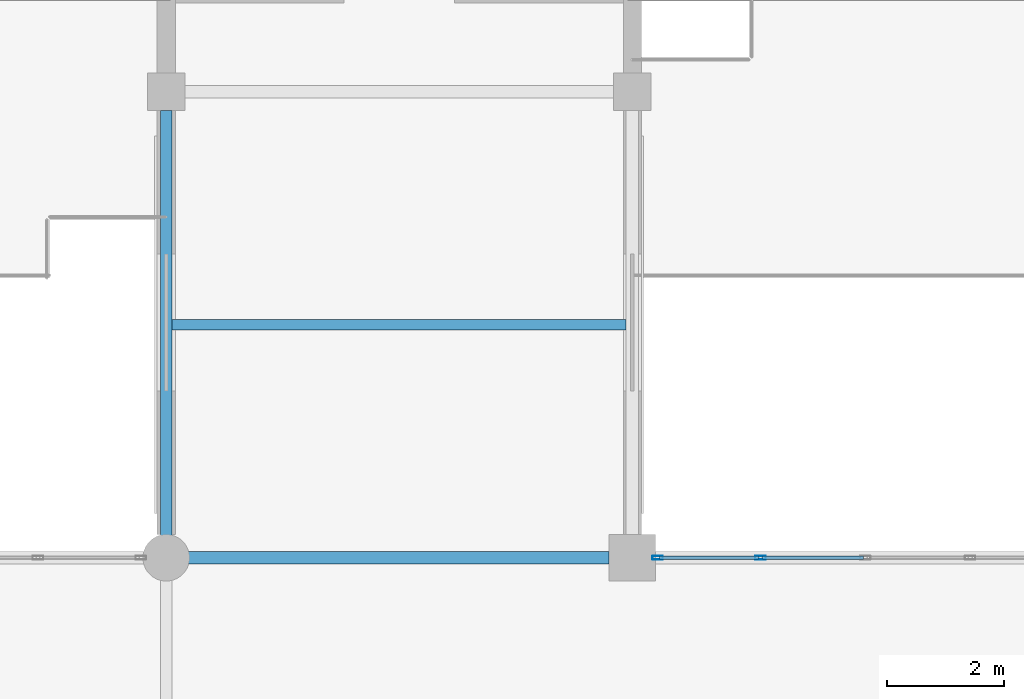
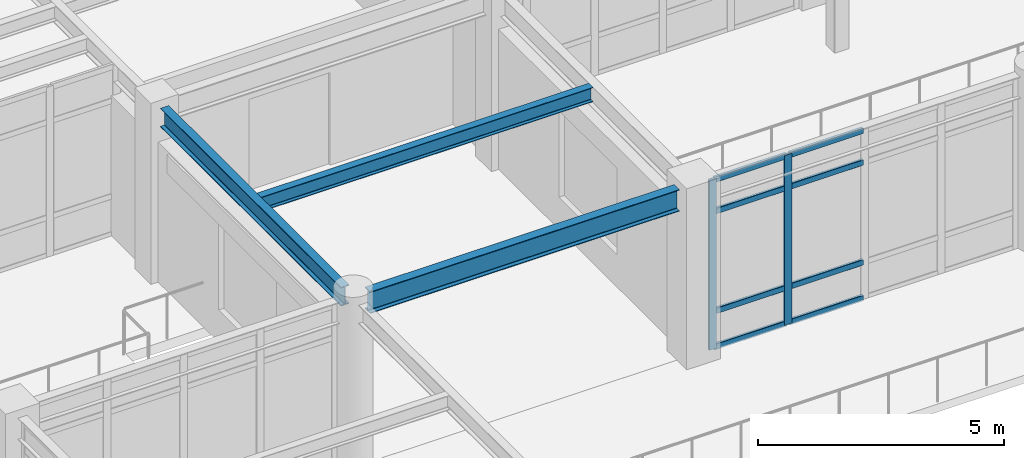
# One storey, part 43 of 111: 10 members, 3 beams, 1 element without a shape of its own.
"""IFC4 building model written with IfcOpenShell, lengths in metres."""

from ifc_helpers import new_model, si_unit, direction, frame, origin, origin_2d, place, context, subcontext, project, spatial, hollow_rectangle, i_section, extrude, material, material_profile, profile_set, type_object, element, aggregate, save


model = new_model("IFC4")

# Units and contexts
model_context = context("Model", 3, precision=1e-05, world=origin(), true_north=direction((0.0, 1.0)))
body_context = subcontext(model_context, "Body", "Model", "MODEL_VIEW")
ifc_project = project(units=[si_unit("LENGTHUNIT", "METRE"), si_unit("AREAUNIT", "SQUARE_METRE"), si_unit("VOLUMEUNIT", "CUBIC_METRE"), si_unit("PLANEANGLEUNIT", "RADIAN"), si_unit("MASSUNIT", "GRAM", prefix="KILO")], contexts=[model_context])

# Site, building, storey
site_placement = place(None, origin())
site = spatial("IfcSite", under=ifc_project, at=site_placement, CompositionType="ELEMENT")
building_placement = place(site_placement, origin())
building = spatial("IfcBuilding", under=site, at=building_placement, Name="Solmirada Galleria", CompositionType="ELEMENT")
storey_placement = place(building_placement, frame((0.0, 0.0, 10.39990234375)))
storey = spatial("IfcBuildingStorey", under=building, at=storey_placement, Name="L02", CompositionType="ELEMENT", Elevation=10.39990234375)

# Beams
ifc_material_1 = material(Name="Steel S355 / ASTM A992 Grade 50", Category="steel")
ifc_material_profile_1 = material_profile(ifc_material_1, i_section(OverallWidth=0.194091796875, OverallDepth=0.468994140625, WebThickness=0.0126953125, FlangeThickness=0.0205078125, FilletRadius=0.013916015625, at=origin_2d()), Name="W18X71")
ifc_profile_set_1 = profile_set([ifc_material_profile_1], Name="Steel S355 / ASTM A992 Grade 50")
beam_type_1 = type_object("IfcBeamType", Name="BM-GIRD-W18B", PredefinedType="BEAM", material=ifc_profile_set_1)
beam_1_placement = place(storey_placement, frame((88.0, 72.3359375, 4.065673828125), z_axis=(0.0, 1.0, 0.0), x_axis=(-1.0, 0.0, 0.0)))
element("IfcBeam", 1, at=beam_1_placement, inside=storey, type_object=beam_type_1, Name="Primary girder L03 Y(88, 72..80)", PredefinedType="BEAM", context=body_context, shape_type="SweptSolid", body=[
    extrude(i_section(OverallWidth=0.194091796875, OverallDepth=0.468994140625, WebThickness=0.0126953125, FlangeThickness=0.0205078125, FilletRadius=0.013916015625, at=origin_2d()), origin(), (0.0, 0.0, 1.0), 7.339111328125),
])
ifc_material_profile_2 = material_profile(ifc_material_1, i_section(OverallWidth=0.2099609375, OverallDepth=0.537109375, WebThickness=0.010986328125, FlangeThickness=0.017333984375, FilletRadius=0.014892578125, at=origin_2d()), Name="W21X68")
ifc_profile_set_2 = profile_set([ifc_material_profile_2], Name="Steel S355 / ASTM A992 Grade 50")
beam_type_2 = type_object("IfcBeamType", Name="BM-GIRD-W21B", PredefinedType="BEAM", material=ifc_profile_set_2)
beam_2_placement = place(storey_placement, frame((88.3359375, 72.0, 4.031494140625), z_axis=(1.0, 0.0, 0.0), x_axis=(0.0, 1.0, 0.0)))
element("IfcBeam", 2, at=beam_2_placement, inside=storey, type_object=beam_type_2, Name="Primary beam L03 X(88..96, 72)", PredefinedType="BEAM", context=body_context, shape_type="SweptSolid", body=[
    extrude(i_section(OverallWidth=0.2099609375, OverallDepth=0.537109375, WebThickness=0.010986328125, FlangeThickness=0.017333984375, FilletRadius=0.014892578125, at=origin_2d()), origin(), (0.0, 0.0, 1.0), 7.26416015625),
])
ifc_material_profile_3 = material_profile(ifc_material_1, i_section(OverallWidth=0.172119140625, OverallDepth=0.35791015625, WebThickness=0.0078125, FlangeThickness=0.01318359375, FilletRadius=0.011962890625, at=origin_2d()), Name="W14X38")
ifc_profile_set_3 = profile_set([ifc_material_profile_3], Name="Steel S355 / ASTM A992 Grade 50")
beam_type_3 = type_object("IfcBeamType", Name="BM-JST-W14A", PredefinedType="JOIST", material=ifc_profile_set_3)
beam_3_placement = place(storey_placement, frame((88.096923828125, 76.0, 4.12109375), z_axis=(1.0, 0.0, 0.0), x_axis=(0.0, 1.0, 0.0)))
element("IfcBeam", 3, at=beam_3_placement, inside=storey, type_object=beam_type_3, Name="Composite floor joist L03 (88..96, 76.0)", PredefinedType="JOIST", context=body_context, shape_type="SweptSolid", body=[
    extrude(i_section(OverallWidth=0.172119140625, OverallDepth=0.35791015625, WebThickness=0.0078125, FlangeThickness=0.01318359375, FilletRadius=0.011962890625, at=origin_2d()), origin(), (0.0, 0.0, 1.0), 7.798095703125),
])

# Curtain wall, members
ifc_material_2 = material(Name="Impact-resistant low-E double glazing", Category="glass")
curtain_wall_type = type_object("IfcCurtainWallType", Name="CW-FZ3-L02-B4-L072", PredefinedType="NOTDEFINED", material=ifc_material_2)
curtain_wall_placement = place(storey_placement, origin())
curtain_wall = element("IfcCurtainWall", 4, at=curtain_wall_placement, inside=storey, type_object=curtain_wall_type, Name="Terrace and arcade storefront CW-L02-104", PredefinedType="NOTDEFINED")
ifc_material_3 = material(Name="Anodised aluminium framing", Category="aluminium")
ifc_material_profile_4 = material_profile(ifc_material_3, hollow_rectangle(XDim=0.06494140625, YDim=0.179931640625, WallThickness=0.00390625, InnerFilletRadius=0.00390625, OuterFilletRadius=0.008056640625, at=origin_2d()), Name="ALU-MULL-180X65")
ifc_profile_set_4 = profile_set([ifc_material_profile_4], Name="Anodised aluminium framing")
member_type_1 = type_object("IfcMemberType", Name="CW-MULL-180", PredefinedType="MULLION", material=ifc_profile_set_4)
member_1_placement = place(storey_placement, frame((96.4345703125, 72.0, 0.0), z_axis=(0.0, 0.0, 1.0), x_axis=(0.0, 1.0, 0.0)))
member_1 = element("IfcMember", 5, at=member_1_placement, type_object=member_type_1, Name="CW21 mullion 1", PredefinedType="MULLION", context=body_context, shape_type="SweptSolid", body=[
    extrude(hollow_rectangle(XDim=0.06494140625, YDim=0.179931640625, WallThickness=0.00390625, InnerFilletRadius=0.00390625, OuterFilletRadius=0.008056640625, at=origin_2d()), origin(), (0.0, 0.0, 1.0), 4.22021484375),
])
member_2_placement = place(storey_placement, frame((98.200927734375, 72.0, 0.0), z_axis=(0.0, 0.0, 1.0), x_axis=(0.0, 1.0, 0.0)))
member_2 = element("IfcMember", 6, at=member_2_placement, type_object=member_type_1, Name="CW21 mullion 2", PredefinedType="MULLION", context=body_context, shape_type="SweptSolid", body=[
    extrude(hollow_rectangle(XDim=0.06494140625, YDim=0.179931640625, WallThickness=0.00390625, InnerFilletRadius=0.00390625, OuterFilletRadius=0.008056640625, at=origin_2d()), origin(), (0.0, 0.0, 1.0), 4.22021484375),
])
ifc_material_profile_5 = material_profile(ifc_material_3, hollow_rectangle(XDim=0.06494140625, YDim=0.139892578125, WallThickness=0.00341796875, InnerFilletRadius=0.00341796875, OuterFilletRadius=0.007080078125, at=origin_2d()), Name="ALU-TRAN-140X65")
ifc_profile_set_5 = profile_set([ifc_material_profile_5], Name="Anodised aluminium framing")
member_type_2 = type_object("IfcMemberType", Name="CW-TRAN-140", PredefinedType="USERDEFINED", material=ifc_profile_set_5)
member_3_placement = place(storey_placement, frame((96.467041015625, 72.0, 0.03271484375), z_axis=(1.0, 0.0, 0.0), x_axis=(0.0, 1.0, 0.0)))
member_3 = element("IfcMember", 7, at=member_3_placement, type_object=member_type_2, Name="CW21 transom 1.1", ObjectType="TRANSOM", PredefinedType="USERDEFINED", context=body_context, shape_type="SweptSolid", body=[
    extrude(hollow_rectangle(XDim=0.06494140625, YDim=0.139892578125, WallThickness=0.00341796875, InnerFilletRadius=0.00341796875, OuterFilletRadius=0.007080078125, at=origin_2d()), origin(), (0.0, 0.0, 1.0), 1.701416015625),
])
member_4_placement = place(storey_placement, frame((96.467041015625, 72.0, 0.920166015625), z_axis=(1.0, 0.0, 0.0), x_axis=(0.0, 1.0, 0.0)))
member_4 = element("IfcMember", 8, at=member_4_placement, type_object=member_type_2, Name="CW21 transom 1.2", ObjectType="TRANSOM", PredefinedType="USERDEFINED", context=body_context, shape_type="SweptSolid", body=[
    extrude(hollow_rectangle(XDim=0.06494140625, YDim=0.139892578125, WallThickness=0.00341796875, InnerFilletRadius=0.00341796875, OuterFilletRadius=0.007080078125, at=origin_2d()), origin(), (0.0, 0.0, 1.0), 1.701416015625),
])
member_5_placement = place(storey_placement, frame((96.467041015625, 72.0, 3.400146484375), z_axis=(1.0, 0.0, 0.0), x_axis=(0.0, 1.0, 0.0)))
member_5 = element("IfcMember", 9, at=member_5_placement, type_object=member_type_2, Name="CW21 transom 1.3", ObjectType="TRANSOM", PredefinedType="USERDEFINED", context=body_context, shape_type="SweptSolid", body=[
    extrude(hollow_rectangle(XDim=0.06494140625, YDim=0.139892578125, WallThickness=0.00341796875, InnerFilletRadius=0.00341796875, OuterFilletRadius=0.007080078125, at=origin_2d()), origin(), (0.0, 0.0, 1.0), 1.701416015625),
])
member_6_placement = place(storey_placement, frame((96.467041015625, 72.0, 4.1875), z_axis=(1.0, 0.0, 0.0), x_axis=(0.0, 1.0, 0.0)))
member_6 = element("IfcMember", 10, at=member_6_placement, type_object=member_type_2, Name="CW21 transom 1.4", ObjectType="TRANSOM", PredefinedType="USERDEFINED", context=body_context, shape_type="SweptSolid", body=[
    extrude(hollow_rectangle(XDim=0.06494140625, YDim=0.139892578125, WallThickness=0.00341796875, InnerFilletRadius=0.00341796875, OuterFilletRadius=0.007080078125, at=origin_2d()), origin(), (0.0, 0.0, 1.0), 1.701416015625),
])
member_7_placement = place(storey_placement, frame((98.2333984375, 72.0, 0.03271484375), z_axis=(1.0, 0.0, 0.0), x_axis=(0.0, 1.0, 0.0)))
member_7 = element("IfcMember", 11, at=member_7_placement, type_object=member_type_2, Name="CW21 transom 2.1", ObjectType="TRANSOM", PredefinedType="USERDEFINED", context=body_context, shape_type="SweptSolid", body=[
    extrude(hollow_rectangle(XDim=0.06494140625, YDim=0.139892578125, WallThickness=0.00341796875, InnerFilletRadius=0.00341796875, OuterFilletRadius=0.007080078125, at=origin_2d()), origin(), (0.0, 0.0, 1.0), 1.734130859375),
])
member_8_placement = place(storey_placement, frame((98.2333984375, 72.0, 0.920166015625), z_axis=(1.0, 0.0, 0.0), x_axis=(0.0, 1.0, 0.0)))
member_8 = element("IfcMember", 12, at=member_8_placement, type_object=member_type_2, Name="CW21 transom 2.2", ObjectType="TRANSOM", PredefinedType="USERDEFINED", context=body_context, shape_type="SweptSolid", body=[
    extrude(hollow_rectangle(XDim=0.06494140625, YDim=0.139892578125, WallThickness=0.00341796875, InnerFilletRadius=0.00341796875, OuterFilletRadius=0.007080078125, at=origin_2d()), origin(), (0.0, 0.0, 1.0), 1.734130859375),
])
member_9_placement = place(storey_placement, frame((98.2333984375, 72.0, 3.400146484375), z_axis=(1.0, 0.0, 0.0), x_axis=(0.0, 1.0, 0.0)))
member_9 = element("IfcMember", 13, at=member_9_placement, type_object=member_type_2, Name="CW21 transom 2.3", ObjectType="TRANSOM", PredefinedType="USERDEFINED", context=body_context, shape_type="SweptSolid", body=[
    extrude(hollow_rectangle(XDim=0.06494140625, YDim=0.139892578125, WallThickness=0.00341796875, InnerFilletRadius=0.00341796875, OuterFilletRadius=0.007080078125, at=origin_2d()), origin(), (0.0, 0.0, 1.0), 1.734130859375),
])
member_10_placement = place(storey_placement, frame((98.2333984375, 72.0, 4.1875), z_axis=(1.0, 0.0, 0.0), x_axis=(0.0, 1.0, 0.0)))
member_10 = element("IfcMember", 14, at=member_10_placement, type_object=member_type_2, Name="CW21 transom 2.4", ObjectType="TRANSOM", PredefinedType="USERDEFINED", context=body_context, shape_type="SweptSolid", body=[
    extrude(hollow_rectangle(XDim=0.06494140625, YDim=0.139892578125, WallThickness=0.00341796875, InnerFilletRadius=0.00341796875, OuterFilletRadius=0.007080078125, at=origin_2d()), origin(), (0.0, 0.0, 1.0), 1.734130859375),
])
aggregate(curtain_wall, [member_1, member_2, member_3, member_4, member_5, member_6, member_7, member_8, member_9, member_10])

save(model, "model.ifc")
